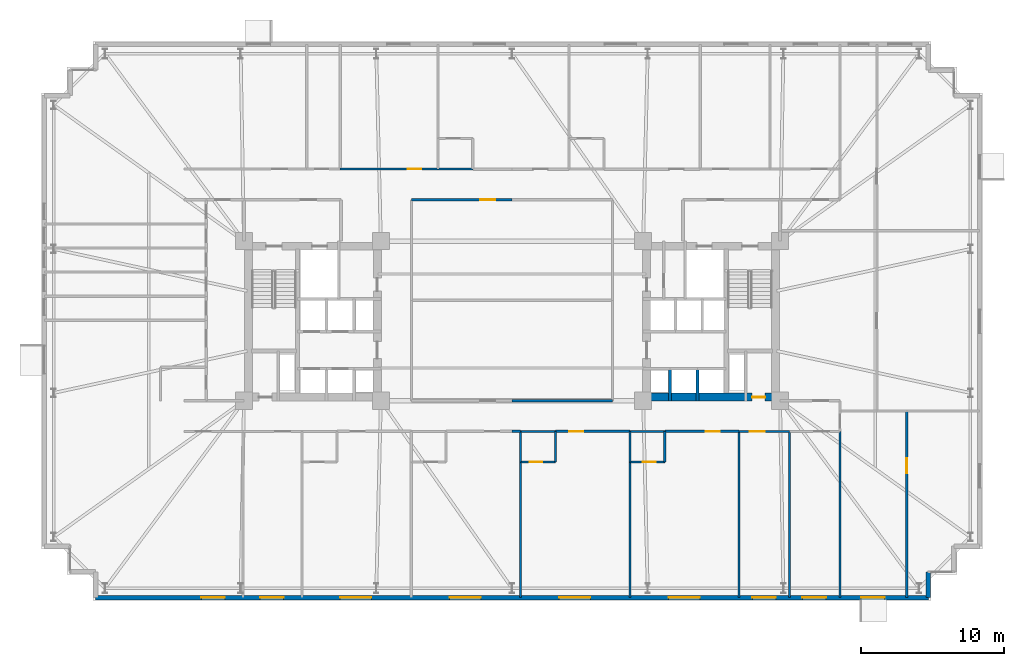
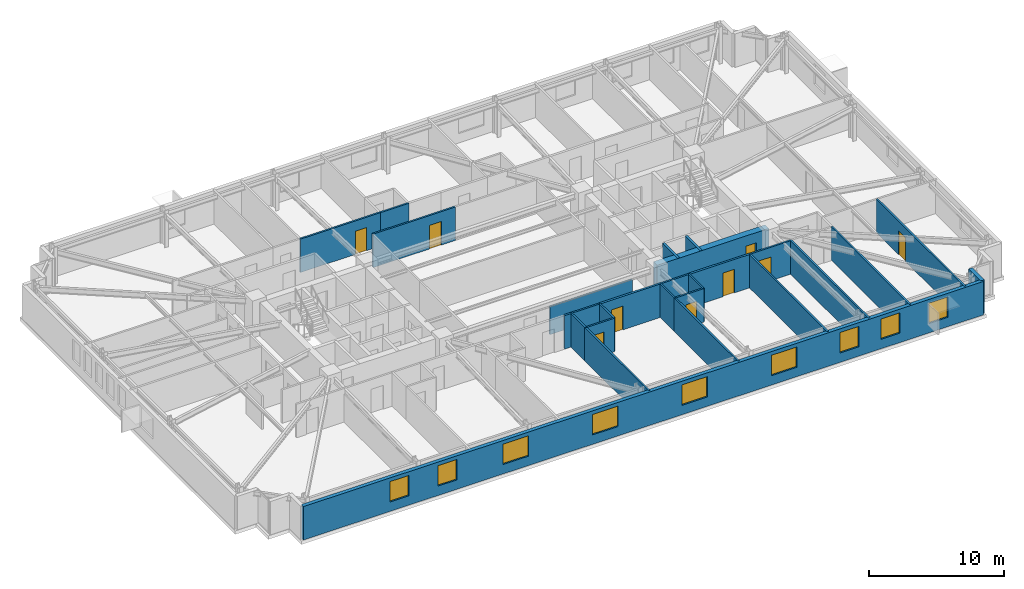
# One storey, part 16 of 21: 27 walls, 9 doors, 9 windows, 18 openings.
"""IFC4 building model written with IfcOpenShell, lengths in metres."""

from ifc_helpers import new_model, si_unit, direction, frame, frame_2d, origin, place, context, subcontext, project, spatial, rectangle, extrude, material, layer, layer_set, type_object, element, fill, save


model = new_model("IFC4")

# Units and contexts
model_context = context("Model", 3, precision=1e-05, world=origin(), true_north=direction((0.0, 1.0)))
body_context = subcontext(model_context, "Body", "Model", "MODEL_VIEW")
ifc_project = project(units=[si_unit("LENGTHUNIT", "METRE"), si_unit("AREAUNIT", "SQUARE_METRE"), si_unit("VOLUMEUNIT", "CUBIC_METRE"), si_unit("PLANEANGLEUNIT", "RADIAN"), si_unit("MASSUNIT", "GRAM", prefix="KILO")], contexts=[model_context])

# Site, building, storey
site_placement = place(None, origin())
site = spatial("IfcSite", under=ifc_project, at=site_placement, CompositionType="ELEMENT")
building_placement = place(site_placement, origin())
building = spatial("IfcBuilding", under=site, at=building_placement, Name="Qobustan Lattice House", CompositionType="ELEMENT")
storey_placement = place(building_placement, frame((0.0, 0.0, 37.050048828125)))
storey = spatial("IfcBuildingStorey", under=building, at=storey_placement, Name="L09", CompositionType="ELEMENT", Elevation=37.050048828125)

# Wall, opening, door
ifc_material_1 = material(Name="Concrete C60/75", Category="concrete")
ifc_layer_1 = layer(ifc_material_1, 0.56005859375)
ifc_layer_set_1 = layer_set([ifc_layer_1], Name="Concrete C60/75")
wall_type_1 = type_object("IfcWallType", Name="WAL-CORE-600", PredefinedType="SHEAR", material=ifc_layer_set_1)
wall_1_placement = place(storey_placement, frame((9.199951171875, -5.35009765625, 0.0), z_axis=(0.0, 0.0, 1.0), x_axis=(1.0, 0.0, 0.0)))
wall_1 = element("IfcWall", 1, at=wall_1_placement, inside=storey, type_object=wall_type_1, Name="L09 split-core shear wall CE-S", PredefinedType="SHEAR", context=body_context, shape_type="SweptSolid", body=[
    extrude(rectangle(XDim=9.60009765625, YDim=0.56005859375, at=frame_2d((4.800048828125, 0.0))), origin(), (0.0, 0.0, 1.0), 3.034912109375),
])
opening_1_placement = place(wall_1_placement, frame((7.64990234375, 0.0, 0.0)))
opening_1 = element("IfcOpeningElement", 2, at=opening_1_placement, cuts=wall_1, Name="Opening RD-01", PredefinedType="OPENING", context=body_context, shape_type="SweptSolid", body=[
    extrude(rectangle(XDim=0.89990234375, YDim=2.10009765625, at=frame_2d((0.449951171875, 1.050048828125))), frame((0.0, 0.2900390625, 0.0), z_axis=(0.0, -1.0, 0.0), x_axis=(1.0, 0.0, 0.0)), (0.0, 0.0, 1.0), 0.580078125),
])
ifc_material_2 = material(Name="Persian walnut timber and steel frame door", Category="steel")
door_type_1 = type_object("IfcDoorType", Name="DOR-RISER-FD-900x2100", OperationType="NOTDEFINED", PredefinedType="DOOR", material=ifc_material_2)
door_1_placement = place(opening_1_placement, origin())
door_1 = element("IfcDoor", 3, at=door_1_placement, inside=storey, type_object=door_type_1, Name="L09 core service riser access door E", OperationType="SINGLE_SWING_RIGHT", OverallHeight=2.10009765625, OverallWidth=0.89990234375, PredefinedType="DOOR", context=body_context, shape_type="SweptSolid", body=[
    extrude(rectangle(XDim=0.89990234375, YDim=2.10009765625, at=frame_2d((0.449951171875, 1.050048828125))), frame((0.0, 0.02490234375, 0.0), z_axis=(0.0, -1.0, 0.0), x_axis=(1.0, 0.0, 0.0)), (0.0, 0.0, 1.0), 0.050048828125),
])
fill(opening_1, door_1)

# Wall
ifc_material_3 = material(Name="Precast concrete C40/50", Category="concrete")
ifc_layer_2 = layer(ifc_material_3, 0.320068359375)
ifc_layer_set_2 = layer_set([ifc_layer_2], Name="Precast concrete C40/50")
wall_type_2 = type_object("IfcWallType", Name="WAL-EXT-STONE-320", PredefinedType="SOLIDWALL", material=ifc_layer_set_2)
wall_2_placement = place(storey_placement, frame((29.199951171875, -17.60009765625, 0.0), z_axis=(0.0, 0.0, 1.0), x_axis=(0.0, -1.0, 0.0)))
element("IfcWall", 4, at=wall_2_placement, inside=storey, type_object=wall_type_2, Name="L09 exterior limestone-clad wall 19", PredefinedType="SOLIDWALL", context=body_context, shape_type="SweptSolid", body=[
    extrude(rectangle(XDim=1.7998046875, YDim=0.320068359375, at=frame_2d((0.89990234375, 0.0))), origin(), (0.0, 0.0, 1.0), 3.034912109375),
])

# Wall, openings, windows
wall_3_placement = place(storey_placement, frame((29.199951171875, -19.39990234375, 0.0), z_axis=(0.0, 0.0, 1.0), x_axis=(-1.0, 0.0, 0.0)))
wall_3 = element("IfcWall", 5, at=wall_3_placement, inside=storey, type_object=wall_type_2, Name="L09 exterior limestone-clad wall 20", PredefinedType="SOLIDWALL", context=body_context, shape_type="SweptSolid", body=[
    extrude(rectangle(XDim=58.39990234375, YDim=0.320068359375, at=frame_2d((29.199951171875, 0.0))), origin(), (0.0, 0.0, 1.0), 3.034912109375),
])
opening_2_placement = place(wall_3_placement, frame((3.054931640625, 0.0, 0.85009765625)))
opening_2 = element("IfcOpeningElement", 6, at=opening_2_placement, cuts=wall_3, Name="Opening WN-09", PredefinedType="OPENING", context=body_context, shape_type="SweptSolid", body=[
    extrude(rectangle(XDim=1.64990234375, YDim=1.85009765625, at=frame_2d((0.824951171875, 0.925048828125))), frame((0.0, 0.169921875, 0.0), z_axis=(0.0, -1.0, 0.0), x_axis=(1.0, 0.0, 0.0)), (0.0, 0.0, 1.0), 0.340087890625),
])
opening_3_placement = place(wall_3_placement, frame((7.175048828125, 0.0, 0.85009765625)))
opening_3 = element("IfcOpeningElement", 7, at=opening_3_placement, cuts=wall_3, Name="Opening WN-09", PredefinedType="OPENING", context=body_context, shape_type="SweptSolid", body=[
    extrude(rectangle(XDim=1.64990234375, YDim=1.85009765625, at=frame_2d((0.824951171875, 0.925048828125))), frame((0.0, 0.169921875, 0.0), z_axis=(0.0, -1.0, 0.0), x_axis=(1.0, 0.0, 0.0)), (0.0, 0.0, 1.0), 0.340087890625),
])
opening_4_placement = place(wall_3_placement, frame((10.695068359375, 0.0, 0.85009765625)))
opening_4 = element("IfcOpeningElement", 8, at=opening_4_placement, cuts=wall_3, Name="Opening WN-09", PredefinedType="OPENING", context=body_context, shape_type="SweptSolid", body=[
    extrude(rectangle(XDim=1.64990234375, YDim=1.85009765625, at=frame_2d((0.824951171875, 0.925048828125))), frame((0.0, 0.169921875, 0.0), z_axis=(0.0, -1.0, 0.0), x_axis=(1.0, 0.0, 0.0)), (0.0, 0.0, 1.0), 0.340087890625),
])
opening_5_placement = place(wall_3_placement, frame((16.02001953125, 0.0, 0.85009765625)))
opening_5 = element("IfcOpeningElement", 9, at=opening_5_placement, cuts=wall_3, Name="Opening WN-03", PredefinedType="OPENING", context=body_context, shape_type="SweptSolid", body=[
    extrude(rectangle(XDim=2.199951171875, YDim=1.85009765625, at=frame_2d((1.10009765625, 0.925048828125))), frame((0.0, 0.169921875, 0.0), z_axis=(0.0, -1.0, 0.0), x_axis=(1.0, 0.0, 0.0)), (0.0, 0.0, 1.0), 0.340087890625),
])
opening_6_placement = place(wall_3_placement, frame((23.699951171875, 0.0, 0.85009765625)))
opening_6 = element("IfcOpeningElement", 10, at=opening_6_placement, cuts=wall_3, Name="Opening WN-03", PredefinedType="OPENING", context=body_context, shape_type="SweptSolid", body=[
    extrude(rectangle(XDim=2.199951171875, YDim=1.85009765625, at=frame_2d((1.10009765625, 0.925048828125))), frame((0.0, 0.169921875, 0.0), z_axis=(0.0, -1.0, 0.0), x_axis=(1.0, 0.0, 0.0)), (0.0, 0.0, 1.0), 0.340087890625),
])
opening_7_placement = place(wall_3_placement, frame((31.3798828125, 0.0, 0.85009765625)))
opening_7 = element("IfcOpeningElement", 11, at=opening_7_placement, cuts=wall_3, Name="Opening WN-03", PredefinedType="OPENING", context=body_context, shape_type="SweptSolid", body=[
    extrude(rectangle(XDim=2.199951171875, YDim=1.85009765625, at=frame_2d((1.10009765625, 0.925048828125))), frame((0.0, 0.169921875, 0.0), z_axis=(0.0, -1.0, 0.0), x_axis=(1.0, 0.0, 0.0)), (0.0, 0.0, 1.0), 0.340087890625),
])
opening_8_placement = place(wall_3_placement, frame((39.06005859375, 0.0, 0.85009765625)))
opening_8 = element("IfcOpeningElement", 12, at=opening_8_placement, cuts=wall_3, Name="Opening WN-03", PredefinedType="OPENING", context=body_context, shape_type="SweptSolid", body=[
    extrude(rectangle(XDim=2.199951171875, YDim=1.85009765625, at=frame_2d((1.10009765625, 0.925048828125))), frame((0.0, 0.169921875, 0.0), z_axis=(0.0, -1.0, 0.0), x_axis=(1.0, 0.0, 0.0)), (0.0, 0.0, 1.0), 0.340087890625),
])
opening_9_placement = place(wall_3_placement, frame((45.215087890625, 0.0, 0.85009765625)))
opening_9 = element("IfcOpeningElement", 13, at=opening_9_placement, cuts=wall_3, Name="Opening WN-09", PredefinedType="OPENING", context=body_context, shape_type="SweptSolid", body=[
    extrude(rectangle(XDim=1.64990234375, YDim=1.85009765625, at=frame_2d((0.824951171875, 0.925048828125))), frame((0.0, 0.169921875, 0.0), z_axis=(0.0, -1.0, 0.0), x_axis=(1.0, 0.0, 0.0)), (0.0, 0.0, 1.0), 0.340087890625),
])
opening_10_placement = place(wall_3_placement, frame((49.3349609375, 0.0, 0.85009765625)))
opening_10 = element("IfcOpeningElement", 14, at=opening_10_placement, cuts=wall_3, Name="Opening WN-09", PredefinedType="OPENING", context=body_context, shape_type="SweptSolid", body=[
    extrude(rectangle(XDim=1.64990234375, YDim=1.85009765625, at=frame_2d((0.824951171875, 0.925048828125))), frame((0.0, 0.169921875, 0.0), z_axis=(0.0, -1.0, 0.0), x_axis=(1.0, 0.0, 0.0)), (0.0, 0.0, 1.0), 0.340087890625),
])
ifc_material_4 = material(Name="Double-glazed low-E aluminium window", Category="aluminium")
window_type_1 = type_object("IfcWindowType", Name="WIN-STU-1650x1850", PartitioningType="SINGLE_PANEL", PredefinedType="WINDOW", material=ifc_material_4)
window_1_placement = place(opening_2_placement, origin())
window_1 = element("IfcWindow", 15, at=window_1_placement, inside=storey, type_object=window_type_1, Name="L09 Focus study room E1A window", OverallHeight=1.85009765625, OverallWidth=1.64990234375, PartitioningType="SINGLE_PANEL", PredefinedType="WINDOW", context=body_context, shape_type="SweptSolid", body=[
    extrude(rectangle(XDim=1.64990234375, YDim=1.85009765625, at=frame_2d((0.824951171875, 0.925048828125))), frame((0.0, 0.030029296875, 0.0), z_axis=(0.0, -1.0, 0.0), x_axis=(1.0, 0.0, 0.0)), (0.0, 0.0, 1.0), 0.06005859375),
])
fill(opening_2, window_1)
window_2_placement = place(opening_3_placement, origin())
window_2 = element("IfcWindow", 16, at=window_2_placement, inside=storey, type_object=window_type_1, Name="L09 Academic seminar room window", OverallHeight=1.85009765625, OverallWidth=1.64990234375, PartitioningType="SINGLE_PANEL", PredefinedType="WINDOW", context=body_context, shape_type="SweptSolid", body=[
    extrude(rectangle(XDim=1.64990234375, YDim=1.85009765625, at=frame_2d((0.824951171875, 0.925048828125))), frame((0.0, 0.030029296875, 0.0), z_axis=(0.0, -1.0, 0.0), x_axis=(1.0, 0.0, 0.0)), (0.0, 0.0, 1.0), 0.06005859375),
])
fill(opening_3, window_2)
window_3_placement = place(opening_4_placement, origin())
window_3 = element("IfcWindow", 17, at=window_3_placement, inside=storey, type_object=window_type_1, Name="L09 Group study room window", OverallHeight=1.85009765625, OverallWidth=1.64990234375, PartitioningType="SINGLE_PANEL", PredefinedType="WINDOW", context=body_context, shape_type="SweptSolid", body=[
    extrude(rectangle(XDim=1.64990234375, YDim=1.85009765625, at=frame_2d((0.824951171875, 0.925048828125))), frame((0.0, 0.030029296875, 0.0), z_axis=(0.0, -1.0, 0.0), x_axis=(1.0, 0.0, 0.0)), (0.0, 0.0, 1.0), 0.06005859375),
])
fill(opening_4, window_3)
window_4_placement = place(opening_9_placement, origin())
window_4 = element("IfcWindow", 18, at=window_4_placement, inside=storey, type_object=window_type_1, Name="L09 Focus study room S1B window", OverallHeight=1.85009765625, OverallWidth=1.64990234375, PartitioningType="SINGLE_PANEL", PredefinedType="WINDOW", context=body_context, shape_type="SweptSolid", body=[
    extrude(rectangle(XDim=1.64990234375, YDim=1.85009765625, at=frame_2d((0.824951171875, 0.925048828125))), frame((0.0, 0.030029296875, 0.0), z_axis=(0.0, -1.0, 0.0), x_axis=(1.0, 0.0, 0.0)), (0.0, 0.0, 1.0), 0.06005859375),
])
fill(opening_9, window_4)
window_5_placement = place(opening_10_placement, origin())
window_5 = element("IfcWindow", 19, at=window_5_placement, inside=storey, type_object=window_type_1, Name="L09 Focus study room S1A window", OverallHeight=1.85009765625, OverallWidth=1.64990234375, PartitioningType="SINGLE_PANEL", PredefinedType="WINDOW", context=body_context, shape_type="SweptSolid", body=[
    extrude(rectangle(XDim=1.64990234375, YDim=1.85009765625, at=frame_2d((0.824951171875, 0.925048828125))), frame((0.0, 0.030029296875, 0.0), z_axis=(0.0, -1.0, 0.0), x_axis=(1.0, 0.0, 0.0)), (0.0, 0.0, 1.0), 0.06005859375),
])
fill(opening_10, window_5)
ifc_material_5 = material(Name="Double-glazed low-E aluminium window", Category="aluminium")
window_type_2 = type_object("IfcWindowType", Name="WIN-WIDE-2200x1850", PartitioningType="SINGLE_PANEL", PredefinedType="WINDOW", material=ifc_material_5)
window_6_placement = place(opening_5_placement, origin())
window_6 = element("IfcWindow", 20, at=window_6_placement, inside=storey, type_object=window_type_2, Name="L09 Kitchenette and studio apartment L09-S5 window", OverallHeight=1.85009765625, OverallWidth=2.199951171875, PartitioningType="SINGLE_PANEL", PredefinedType="WINDOW", context=body_context, shape_type="SweptSolid", body=[
    extrude(rectangle(XDim=2.199951171875, YDim=1.85009765625, at=frame_2d((1.10009765625, 0.925048828125))), frame((0.0, 0.030029296875, 0.0), z_axis=(0.0, -1.0, 0.0), x_axis=(1.0, 0.0, 0.0)), (0.0, 0.0, 1.0), 0.06005859375),
])
fill(opening_5, window_6)
window_7_placement = place(opening_6_placement, origin())
window_7 = element("IfcWindow", 21, at=window_7_placement, inside=storey, type_object=window_type_2, Name="L09 Kitchenette and studio apartment L09-S4 window", OverallHeight=1.85009765625, OverallWidth=2.199951171875, PartitioningType="SINGLE_PANEL", PredefinedType="WINDOW", context=body_context, shape_type="SweptSolid", body=[
    extrude(rectangle(XDim=2.199951171875, YDim=1.85009765625, at=frame_2d((1.10009765625, 0.925048828125))), frame((0.0, 0.030029296875, 0.0), z_axis=(0.0, -1.0, 0.0), x_axis=(1.0, 0.0, 0.0)), (0.0, 0.0, 1.0), 0.06005859375),
])
fill(opening_6, window_7)
window_8_placement = place(opening_7_placement, origin())
window_8 = element("IfcWindow", 22, at=window_8_placement, inside=storey, type_object=window_type_2, Name="L09 Kitchenette and studio apartment L09-S3 window", OverallHeight=1.85009765625, OverallWidth=2.199951171875, PartitioningType="SINGLE_PANEL", PredefinedType="WINDOW", context=body_context, shape_type="SweptSolid", body=[
    extrude(rectangle(XDim=2.199951171875, YDim=1.85009765625, at=frame_2d((1.10009765625, 0.925048828125))), frame((0.0, 0.030029296875, 0.0), z_axis=(0.0, -1.0, 0.0), x_axis=(1.0, 0.0, 0.0)), (0.0, 0.0, 1.0), 0.06005859375),
])
fill(opening_7, window_8)
window_9_placement = place(opening_8_placement, origin())
window_9 = element("IfcWindow", 23, at=window_9_placement, inside=storey, type_object=window_type_2, Name="L09 Kitchenette and studio apartment L09-S2 window", OverallHeight=1.85009765625, OverallWidth=2.199951171875, PartitioningType="SINGLE_PANEL", PredefinedType="WINDOW", context=body_context, shape_type="SweptSolid", body=[
    extrude(rectangle(XDim=2.199951171875, YDim=1.85009765625, at=frame_2d((1.10009765625, 0.925048828125))), frame((0.0, 0.030029296875, 0.0), z_axis=(0.0, -1.0, 0.0), x_axis=(1.0, 0.0, 0.0)), (0.0, 0.0, 1.0), 0.06005859375),
])
fill(opening_8, window_9)

# Wall
ifc_material_6 = material(Name="Gypsum fireboard acoustic partition", Category="gypsum")
ifc_layer_3 = layer(ifc_material_6, 0.179931640625)
ifc_layer_set_3 = layer_set([ifc_layer_3], Name="Gypsum fireboard acoustic partition")
wall_type_3 = type_object("IfcWallType", Name="WAL-FIRE-180", PredefinedType="PARTITIONING", material=ifc_layer_set_3)
wall_4_placement = place(storey_placement, frame((0.60009765625, -7.75, 0.0), z_axis=(0.0, 0.0, 1.0), x_axis=(-1.0, 0.0, 0.0)))
element("IfcWall", 24, at=wall_4_placement, inside=storey, type_object=wall_type_3, Name="L09 interior partition 65", PredefinedType="PARTITIONING", context=body_context, shape_type="SweptSolid", body=[
    extrude(rectangle(XDim=0.60009765625, YDim=0.179931640625, at=frame_2d((0.300048828125, 0.0))), origin(), (0.0, 0.0, 1.0), 3.034912109375),
])

# Wall, opening, door
wall_5_placement = place(storey_placement, frame((8.26708984375, -7.75, 0.0), z_axis=(0.0, 0.0, 1.0), x_axis=(-1.0, 0.0, 0.0)))
wall_5 = element("IfcWall", 25, at=wall_5_placement, inside=storey, type_object=wall_type_3, Name="L09 interior partition 66", PredefinedType="PARTITIONING", context=body_context, shape_type="SweptSolid", body=[
    extrude(rectangle(XDim=5.217041015625, YDim=0.179931640625, at=frame_2d((2.6083984375, 0.0))), origin(), (0.0, 0.0, 1.0), 3.034912109375),
])
opening_11_placement = place(wall_5_placement, frame((3.2548828125, 0.0, 0.0)))
opening_11 = element("IfcOpeningElement", 26, at=opening_11_placement, cuts=wall_5, Name="Opening FD-02", PredefinedType="OPENING", context=body_context, shape_type="SweptSolid", body=[
    extrude(rectangle(XDim=1.0, YDim=2.14990234375, at=frame_2d((0.5, 1.074951171875))), frame((0.0, 0.099853515625, 0.0), z_axis=(0.0, -1.0, 0.0), x_axis=(1.0, 0.0, 0.0)), (0.0, 0.0, 1.0), 0.199951171875),
])
ifc_material_7 = material(Name="Persian walnut timber and steel frame door", Category="steel")
door_type_2 = type_object("IfcDoorType", Name="DOR-UNIT-FD-1000x2150", OperationType="NOTDEFINED", PredefinedType="DOOR", material=ifc_material_7)
door_2_placement = place(opening_11_placement, origin())
door_2 = element("IfcDoor", 27, at=door_2_placement, inside=storey, type_object=door_type_2, Name="L09 South-east floor corridor to Kitchenette and studio apartment L09-S4 door", OperationType="SINGLE_SWING_LEFT", OverallHeight=2.14990234375, OverallWidth=1.0, PredefinedType="DOOR", context=body_context, shape_type="SweptSolid", body=[
    extrude(rectangle(XDim=1.0, YDim=2.14990234375, at=frame_2d((0.5, 1.074951171875))), frame((0.0, 0.02490234375, 0.0), z_axis=(0.0, -1.0, 0.0), x_axis=(1.0, 0.0, 0.0)), (0.0, 0.0, 1.0), 0.050048828125),
])
fill(opening_11, door_2)

wall_6_placement = place(storey_placement, frame((15.93310546875, -7.75, 0.0), z_axis=(0.0, 0.0, 1.0), x_axis=(-1.0, 0.0, 0.0)))
wall_6 = element("IfcWall", 28, at=wall_6_placement, inside=storey, type_object=wall_type_3, Name="L09 interior partition 68", PredefinedType="PARTITIONING", context=body_context, shape_type="SweptSolid", body=[
    extrude(rectangle(XDim=5.216064453125, YDim=0.179931640625, at=frame_2d((2.60791015625, 0.0))), origin(), (0.0, 0.0, 1.0), 3.034912109375),
])
opening_12_placement = place(wall_6_placement, frame((1.343994140625, 0.0, 0.0)))
opening_12 = element("IfcOpeningElement", 29, at=opening_12_placement, cuts=wall_6, Name="Opening FD-02", PredefinedType="OPENING", context=body_context, shape_type="SweptSolid", body=[
    extrude(rectangle(XDim=1.0, YDim=2.14990234375, at=frame_2d((0.5, 1.074951171875))), frame((0.0, 0.099853515625, 0.0), z_axis=(0.0, -1.0, 0.0), x_axis=(1.0, 0.0, 0.0)), (0.0, 0.0, 1.0), 0.199951171875),
])
door_3_placement = place(opening_12_placement, origin())
door_3 = element("IfcDoor", 30, at=door_3_placement, inside=storey, type_object=door_type_2, Name="L09 South-east floor corridor to Kitchenette and studio apartment L09-S5 door", OperationType="SINGLE_SWING_RIGHT", OverallHeight=2.14990234375, OverallWidth=1.0, PredefinedType="DOOR", context=body_context, shape_type="SweptSolid", body=[
    extrude(rectangle(XDim=1.0, YDim=2.14990234375, at=frame_2d((0.5, 1.074951171875))), frame((0.0, 0.02490234375, 0.0), z_axis=(0.0, -1.0, 0.0), x_axis=(1.0, 0.0, 0.0)), (0.0, 0.0, 1.0), 0.050048828125),
])
fill(opening_12, door_3)

ifc_material_8 = material(Name="Acoustic twin-stud gypsum partition", Category="gypsum")
ifc_layer_4 = layer(ifc_material_8, 0.14990234375)
ifc_layer_set_4 = layer_set([ifc_layer_4], Name="Acoustic twin-stud gypsum partition")
wall_type_4 = type_object("IfcWallType", Name="WAL-PART-150", PredefinedType="PARTITIONING", material=ifc_layer_set_4)
wall_7_placement = place(storey_placement, frame((-12.050048828125, 10.64990234375, 0.0), z_axis=(0.0, 0.0, 1.0), x_axis=(1.0, 0.0, 0.0)))
wall_7 = element("IfcWall", 31, at=wall_7_placement, inside=storey, type_object=wall_type_4, Name="L09 interior partition 41", PredefinedType="PARTITIONING", context=body_context, shape_type="SweptSolid", body=[
    extrude(rectangle(XDim=6.85009765625, YDim=0.14990234375, at=frame_2d((3.425048828125, 0.0))), origin(), (0.0, 0.0, 1.0), 3.034912109375),
])
opening_13_placement = place(wall_7_placement, frame((4.7275390625, 0.0, 0.0)))
opening_13 = element("IfcOpeningElement", 32, at=opening_13_placement, cuts=wall_7, Name="Opening ID-01", PredefinedType="OPENING", context=body_context, shape_type="SweptSolid", body=[
    extrude(rectangle(XDim=0.949951171875, YDim=2.10009765625, at=frame_2d((0.47509765625, 1.050048828125))), frame((0.0, 0.0849609375, 0.0), z_axis=(0.0, -1.0, 0.0), x_axis=(1.0, 0.0, 0.0)), (0.0, 0.0, 1.0), 0.169921875),
])
ifc_material_9 = material(Name="Persian walnut timber and steel frame door", Category="steel")
door_type_3 = type_object("IfcDoorType", Name="DOR-ROOM-950x2100", OperationType="NOTDEFINED", PredefinedType="DOOR", material=ifc_material_9)
door_4_placement = place(opening_13_placement, origin())
door_4 = element("IfcDoor", 33, at=door_4_placement, inside=storey, type_object=door_type_3, Name="L09 North-west floor corridor to Laundry utility room door", OperationType="SINGLE_SWING_LEFT", OverallHeight=2.10009765625, OverallWidth=0.949951171875, PredefinedType="DOOR", context=body_context, shape_type="SweptSolid", body=[
    extrude(rectangle(XDim=0.949951171875, YDim=2.10009765625, at=frame_2d((0.47509765625, 1.050048828125))), frame((0.0, 0.02490234375, 0.0), z_axis=(0.0, -1.0, 0.0), x_axis=(1.0, 0.0, 0.0)), (0.0, 0.0, 1.0), 0.050048828125),
])
fill(opening_13, door_4)

wall_8_placement = place(storey_placement, frame((0.0, 8.5, 0.0), z_axis=(0.0, 0.0, 1.0), x_axis=(-1.0, 0.0, 0.0)))
wall_8 = element("IfcWall", 34, at=wall_8_placement, inside=storey, type_object=wall_type_4, Name="L09 interior partition 44", PredefinedType="PARTITIONING", context=body_context, shape_type="SweptSolid", body=[
    extrude(rectangle(XDim=7.050048828125, YDim=0.14990234375, at=frame_2d((3.52490234375, 0.0))), origin(), (0.0, 0.0, 1.0), 3.034912109375),
])
opening_14_placement = place(wall_8_placement, frame((1.18505859375, 0.0, 0.0)))
opening_14 = element("IfcOpeningElement", 35, at=opening_14_placement, cuts=wall_8, Name="Opening ID-02", PredefinedType="OPENING", context=body_context, shape_type="SweptSolid", body=[
    extrude(rectangle(XDim=1.050048828125, YDim=2.14990234375, at=frame_2d((0.52490234375, 1.074951171875))), frame((0.0, 0.0849609375, 0.0), z_axis=(0.0, -1.0, 0.0), x_axis=(1.0, 0.0, 0.0)), (0.0, 0.0, 1.0), 0.169921875),
])
ifc_material_10 = material(Name="Persian walnut timber and steel frame door", Category="steel")
door_type_4 = type_object("IfcDoorType", Name="DOR-STUDY-1050x2150", OperationType="NOTDEFINED", PredefinedType="DOOR", material=ifc_material_10)
door_5_placement = place(opening_14_placement, origin())
door_5 = element("IfcDoor", 36, at=door_5_placement, inside=storey, type_object=door_type_4, Name="L09 North-west floor corridor to Shared social lounge door", OperationType="SINGLE_SWING_RIGHT", OverallHeight=2.14990234375, OverallWidth=1.050048828125, PredefinedType="DOOR", context=body_context, shape_type="SweptSolid", body=[
    extrude(rectangle(XDim=1.050048828125, YDim=2.14990234375, at=frame_2d((0.52490234375, 1.074951171875))), frame((0.0, 0.02490234375, 0.0), z_axis=(0.0, -1.0, 0.0), x_axis=(1.0, 0.0, 0.0)), (0.0, 0.0, 1.0), 0.050048828125),
])
fill(opening_14, door_5)

wall_9_placement = place(storey_placement, frame((19.466552734375, -7.75, 0.0), z_axis=(0.0, 0.0, 1.0), x_axis=(-1.0, 0.0, 0.0)))
wall_9 = element("IfcWall", 37, at=wall_9_placement, inside=storey, type_object=wall_type_4, Name="L09 interior partition 70", PredefinedType="PARTITIONING", context=body_context, shape_type="SweptSolid", body=[
    extrude(rectangle(XDim=3.533447265625, YDim=0.14990234375, at=frame_2d((1.7666015625, 0.0))), origin(), (0.0, 0.0, 1.0), 3.034912109375),
])
opening_15_placement = place(wall_9_placement, frame((1.738037109375, 0.0, 0.0)))
opening_15 = element("IfcOpeningElement", 38, at=opening_15_placement, cuts=wall_9, Name="Opening ID-02", PredefinedType="OPENING", context=body_context, shape_type="SweptSolid", body=[
    extrude(rectangle(XDim=1.050048828125, YDim=2.14990234375, at=frame_2d((0.52490234375, 1.074951171875))), frame((0.0, 0.0849609375, 0.0), z_axis=(0.0, -1.0, 0.0), x_axis=(1.0, 0.0, 0.0)), (0.0, 0.0, 1.0), 0.169921875),
])
door_6_placement = place(opening_15_placement, origin())
door_6 = element("IfcDoor", 39, at=door_6_placement, inside=storey, type_object=door_type_4, Name="L09 South-east floor corridor to Group study room door", OperationType="SINGLE_SWING_LEFT", OverallHeight=2.14990234375, OverallWidth=1.050048828125, PredefinedType="DOOR", context=body_context, shape_type="SweptSolid", body=[
    extrude(rectangle(XDim=1.050048828125, YDim=2.14990234375, at=frame_2d((0.52490234375, 1.074951171875))), frame((0.0, 0.02490234375, 0.0), z_axis=(0.0, -1.0, 0.0), x_axis=(1.0, 0.0, 0.0)), (0.0, 0.0, 1.0), 0.050048828125),
])
fill(opening_15, door_6)

# Wall
wall_10_placement = place(storey_placement, frame((0.0, -5.60009765625, 0.0), z_axis=(0.0, 0.0, 1.0), x_axis=(1.0, 0.0, 0.0)))
element("IfcWall", 40, at=wall_10_placement, inside=storey, type_object=wall_type_4, Name="L09 interior partition 72", PredefinedType="PARTITIONING", context=body_context, shape_type="SweptSolid", body=[
    extrude(rectangle(XDim=7.050048828125, YDim=0.14990234375, at=frame_2d((3.52490234375, 0.0))), origin(), (0.0, 0.0, 1.0), 2.52001953125),
])

# Wall, opening, door
wall_11_placement = place(storey_placement, frame((27.68994140625, -6.326904296875, 0.0), z_axis=(0.0, 0.0, 1.0), x_axis=(0.0, -1.0, 0.0)))
wall_11 = element("IfcWall", 41, at=wall_11_placement, inside=storey, type_object=wall_type_4, Name="L09 interior partition 91", PredefinedType="PARTITIONING", context=body_context, shape_type="SweptSolid", body=[
    extrude(rectangle(XDim=13.072998046875, YDim=0.14990234375, at=frame_2d((6.53662109375, 0.0))), origin(), (0.0, 0.0, 1.0), 3.034912109375),
])
opening_16_placement = place(wall_11_placement, frame((3.295654296875, 0.0, 0.0)))
opening_16 = element("IfcOpeningElement", 42, at=opening_16_placement, cuts=wall_11, Name="Opening ID-02", PredefinedType="OPENING", context=body_context, shape_type="SweptSolid", body=[
    extrude(rectangle(XDim=1.050048828125, YDim=2.14990234375, at=frame_2d((0.52490234375, 1.074951171875))), frame((0.0, 0.0849609375, 0.0), z_axis=(0.0, -1.0, 0.0), x_axis=(1.0, 0.0, 0.0)), (0.0, 0.0, 1.0), 0.169921875),
])
door_7_placement = place(opening_16_placement, origin())
door_7 = element("IfcDoor", 43, at=door_7_placement, inside=storey, type_object=door_type_4, Name="L09 Focus study room E1A to Focus study room E1B door", OperationType="SINGLE_SWING_RIGHT", OverallHeight=2.14990234375, OverallWidth=1.050048828125, PredefinedType="DOOR", context=body_context, shape_type="SweptSolid", body=[
    extrude(rectangle(XDim=1.050048828125, YDim=2.14990234375, at=frame_2d((0.52490234375, 1.074951171875))), frame((0.0, 0.02490234375, 0.0), z_axis=(0.0, -1.0, 0.0), x_axis=(1.0, 0.0, 0.0)), (0.0, 0.0, 1.0), 0.050048828125),
])
fill(opening_16, door_7)

# Walls
wall_12_placement = place(storey_placement, frame((23.0, -19.39990234375, 0.0), z_axis=(0.0, 0.0, 1.0), x_axis=(0.0, 1.0, 0.0)))
element("IfcWall", 44, at=wall_12_placement, inside=storey, type_object=wall_type_4, Name="L09 interior partition 94", PredefinedType="PARTITIONING", context=body_context, shape_type="SweptSolid", body=[
    extrude(rectangle(XDim=11.64990234375, YDim=0.14990234375, at=frame_2d((5.824951171875, 0.0))), origin(), (0.0, 0.0, 1.0), 3.034912109375),
])
for number, where, z_axis, x_axis, name in (
    (45, (0.60009765625, -9.89990234375, 0.0), (0.0, 0.0, 1.0), (0.0, -1.0, 0.0), "L09 interior partition 122"),
    (46, (8.26708984375, -9.89990234375, 0.0), (0.0, 0.0, 1.0), (0.0, -1.0, 0.0), "L09 interior partition 126"),
):
    element("IfcWall", number, at=place(storey_placement, frame(where, z_axis=z_axis, x_axis=x_axis)), inside=storey, type_object=wall_type_4, Name=name, PredefinedType="PARTITIONING", context=body_context, shape_type="SweptSolid", body=[
        extrude(rectangle(XDim=9.5, YDim=0.14990234375, at=frame_2d((4.75, 0.0))), origin(), (0.0, 0.0, 1.0), 3.034912109375),
    ])
for number, where, z_axis, x_axis, name in (
    (47, (15.93310546875, -7.75, 0.0), (0.0, 0.0, 1.0), (0.0, -1.0, 0.0), "L09 interior partition 130"),
    (48, (19.466552734375, -7.75, 0.0), (0.0, 0.0, 1.0), (0.0, -1.0, 0.0), "L09 interior partition 131"),
):
    element("IfcWall", number, at=place(storey_placement, frame(where, z_axis=z_axis, x_axis=x_axis)), inside=storey, type_object=wall_type_4, Name=name, PredefinedType="PARTITIONING", context=body_context, shape_type="SweptSolid", body=[
        extrude(rectangle(XDim=11.64990234375, YDim=0.14990234375, at=frame_2d((5.824951171875, 0.0))), origin(), (0.0, 0.0, 1.0), 3.034912109375),
    ])
ifc_material_11 = material(Name="Concrete C40/50", Category="concrete")
ifc_layer_5 = layer(ifc_material_11, 0.199951171875)
ifc_layer_set_5 = layer_set([ifc_layer_5], Name="Concrete C40/50")
wall_type_5 = type_object("IfcWallType", Name="WAL-SHAFT-200", PredefinedType="PARTITIONING", material=ifc_layer_set_5)
for number, where, z_axis, x_axis, name in (
    (49, (11.080078125, -5.60009765625, 0.0), (0.0, 0.0, 1.0), (0.0, 1.0, 0.0), "L09 interior partition 33"),
    (50, (13.02001953125, -5.60009765625, 0.0), (0.0, 0.0, 1.0), (0.0, 1.0, 0.0), "L09 interior partition 34"),
):
    element("IfcWall", number, at=place(storey_placement, frame(where, z_axis=z_axis, x_axis=x_axis)), inside=storey, type_object=wall_type_5, Name=name, PredefinedType="PARTITIONING", context=body_context, shape_type="SweptSolid", body=[
        extrude(rectangle(XDim=2.25, YDim=0.199951171875, at=frame_2d((1.125, 0.0))), origin(), (0.0, 0.0, 1.0), 3.034912109375),
    ])
ifc_material_12 = material(Name="Moisture-resistant acoustic plumbing wall", Category="gypsum")
ifc_layer_6 = layer(ifc_material_12, 0.14990234375)
ifc_layer_set_6 = layer_set([ifc_layer_6], Name="Moisture-resistant acoustic plumbing wall")
wall_type_6 = type_object("IfcWallType", Name="WAL-WET-150", PredefinedType="PLUMBINGWALL", material=ifc_layer_set_6)
for number, where, z_axis, x_axis, name in (
    (51, (-5.199951171875, 10.64990234375, 0.0), (0.0, 0.0, 1.0), (1.0, 0.0, 0.0), "L09 interior partition 43"),
    (52, (3.050048828125, -7.75, 0.0), (0.0, 0.0, 1.0), (-1.0, 0.0, 0.0), "L09 interior partition 67"),
    (53, (10.717041015625, -7.75, 0.0), (0.0, 0.0, 1.0), (-1.0, 0.0, 0.0), "L09 interior partition 69"),
):
    element("IfcWall", number, at=place(storey_placement, frame(where, z_axis=z_axis, x_axis=x_axis)), inside=storey, type_object=wall_type_6, Name=name, PredefinedType="PLUMBINGWALL", context=body_context, shape_type="SweptSolid", body=[
        extrude(rectangle(XDim=2.449951171875, YDim=0.14990234375, at=frame_2d((1.22509765625, 0.0))), origin(), (0.0, 0.0, 1.0), 3.034912109375),
    ])
wall_13_placement = place(storey_placement, frame((0.60009765625, -7.75, 0.0), z_axis=(0.0, 0.0, 1.0), x_axis=(0.0, -1.0, 0.0)))
element("IfcWall", 54, at=wall_13_placement, inside=storey, type_object=wall_type_6, Name="L09 interior partition 123", PredefinedType="PLUMBINGWALL", context=body_context, shape_type="SweptSolid", body=[
    extrude(rectangle(XDim=2.14990234375, YDim=0.14990234375, at=frame_2d((1.074951171875, 0.0))), origin(), (0.0, 0.0, 1.0), 3.034912109375),
])

# Wall, opening, door
wall_14_placement = place(storey_placement, frame((0.60009765625, -9.89990234375, 0.0), z_axis=(0.0, 0.0, 1.0), x_axis=(1.0, 0.0, 0.0)))
wall_14 = element("IfcWall", 55, at=wall_14_placement, inside=storey, type_object=wall_type_6, Name="L09 interior partition 124", PredefinedType="PLUMBINGWALL", context=body_context, shape_type="SweptSolid", body=[
    extrude(rectangle(XDim=2.449951171875, YDim=0.14990234375, at=frame_2d((1.22509765625, 0.0))), origin(), (0.0, 0.0, 1.0), 3.034912109375),
])
opening_17_placement = place(wall_14_placement, frame((0.628662109375, 0.0, 0.0)))
opening_17 = element("IfcOpeningElement", 56, at=opening_17_placement, cuts=wall_14, Name="Opening WD-01", PredefinedType="OPENING", context=body_context, shape_type="SweptSolid", body=[
    extrude(rectangle(XDim=0.89990234375, YDim=2.10009765625, at=frame_2d((0.449951171875, 1.050048828125))), frame((0.0, 0.0849609375, 0.0), z_axis=(0.0, -1.0, 0.0), x_axis=(1.0, 0.0, 0.0)), (0.0, 0.0, 1.0), 0.169921875),
])
ifc_material_13 = material(Name="Persian walnut timber and steel frame door", Category="steel")
door_type_5 = type_object("IfcDoorType", Name="DOR-WET-900x2100", OperationType="NOTDEFINED", PredefinedType="DOOR", material=ifc_material_13)
door_8_placement = place(opening_17_placement, origin())
door_8 = element("IfcDoor", 57, at=door_8_placement, inside=storey, type_object=door_type_5, Name="L09 Kitchenette and studio apartment L09-S4 to En-suite bathroom L09-S4 door", OperationType="SINGLE_SWING_LEFT", OverallHeight=2.10009765625, OverallWidth=0.89990234375, PredefinedType="DOOR", context=body_context, shape_type="SweptSolid", body=[
    extrude(rectangle(XDim=0.89990234375, YDim=2.10009765625, at=frame_2d((0.449951171875, 1.050048828125))), frame((0.0, 0.02490234375, 0.0), z_axis=(0.0, -1.0, 0.0), x_axis=(1.0, 0.0, 0.0)), (0.0, 0.0, 1.0), 0.050048828125),
])
fill(opening_17, door_8)

# Walls
for number, where, z_axis, x_axis, name in (
    (58, (3.050048828125, -9.89990234375, 0.0), (0.0, 0.0, 1.0), (0.0, 1.0, 0.0), "L09 interior partition 125"),
    (59, (8.26708984375, -7.75, 0.0), (0.0, 0.0, 1.0), (0.0, -1.0, 0.0), "L09 interior partition 127"),
):
    element("IfcWall", number, at=place(storey_placement, frame(where, z_axis=z_axis, x_axis=x_axis)), inside=storey, type_object=wall_type_6, Name=name, PredefinedType="PLUMBINGWALL", context=body_context, shape_type="SweptSolid", body=[
        extrude(rectangle(XDim=2.14990234375, YDim=0.14990234375, at=frame_2d((1.074951171875, 0.0))), origin(), (0.0, 0.0, 1.0), 3.034912109375),
    ])

# Wall, opening, door
wall_15_placement = place(storey_placement, frame((8.26708984375, -9.89990234375, 0.0), z_axis=(0.0, 0.0, 1.0), x_axis=(1.0, 0.0, 0.0)))
wall_15 = element("IfcWall", 60, at=wall_15_placement, inside=storey, type_object=wall_type_6, Name="L09 interior partition 128", PredefinedType="PLUMBINGWALL", context=body_context, shape_type="SweptSolid", body=[
    extrude(rectangle(XDim=2.449951171875, YDim=0.14990234375, at=frame_2d((1.22509765625, 0.0))), origin(), (0.0, 0.0, 1.0), 3.034912109375),
])
opening_18_placement = place(wall_15_placement, frame((0.92138671875, 0.0, 0.0)))
opening_18 = element("IfcOpeningElement", 61, at=opening_18_placement, cuts=wall_15, Name="Opening WD-01", PredefinedType="OPENING", context=body_context, shape_type="SweptSolid", body=[
    extrude(rectangle(XDim=0.89990234375, YDim=2.10009765625, at=frame_2d((0.449951171875, 1.050048828125))), frame((0.0, 0.0849609375, 0.0), z_axis=(0.0, -1.0, 0.0), x_axis=(1.0, 0.0, 0.0)), (0.0, 0.0, 1.0), 0.169921875),
])
door_9_placement = place(opening_18_placement, origin())
door_9 = element("IfcDoor", 62, at=door_9_placement, inside=storey, type_object=door_type_5, Name="L09 Kitchenette and studio apartment L09-S5 to En-suite bathroom L09-S5 door", OperationType="SINGLE_SWING_RIGHT", OverallHeight=2.10009765625, OverallWidth=0.89990234375, PredefinedType="DOOR", context=body_context, shape_type="SweptSolid", body=[
    extrude(rectangle(XDim=0.89990234375, YDim=2.10009765625, at=frame_2d((0.449951171875, 1.050048828125))), frame((0.0, 0.02490234375, 0.0), z_axis=(0.0, -1.0, 0.0), x_axis=(1.0, 0.0, 0.0)), (0.0, 0.0, 1.0), 0.050048828125),
])
fill(opening_18, door_9)

# Wall
wall_16_placement = place(storey_placement, frame((10.717041015625, -9.89990234375, 0.0), z_axis=(0.0, 0.0, 1.0), x_axis=(0.0, 1.0, 0.0)))
element("IfcWall", 63, at=wall_16_placement, inside=storey, type_object=wall_type_6, Name="L09 interior partition 129", PredefinedType="PLUMBINGWALL", context=body_context, shape_type="SweptSolid", body=[
    extrude(rectangle(XDim=2.14990234375, YDim=0.14990234375, at=frame_2d((1.074951171875, 0.0))), origin(), (0.0, 0.0, 1.0), 3.034912109375),
])

save(model, "model.ifc")
